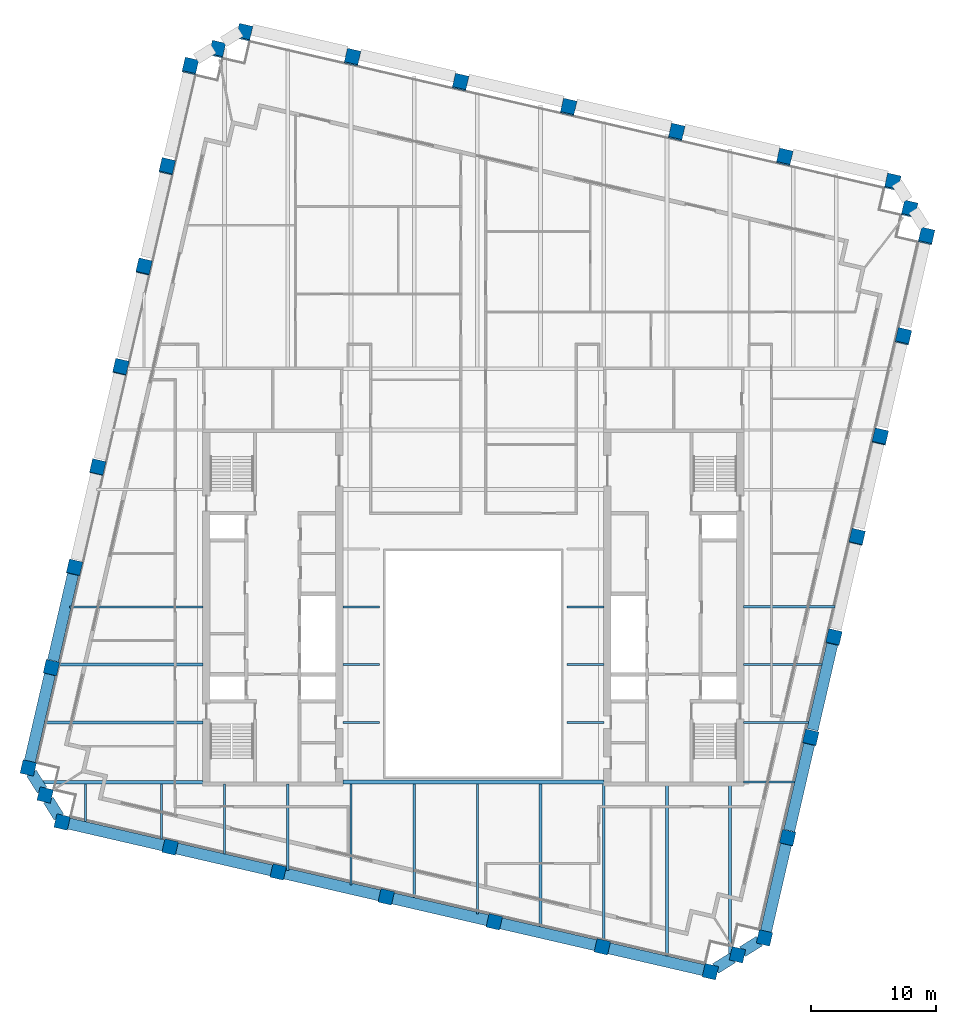
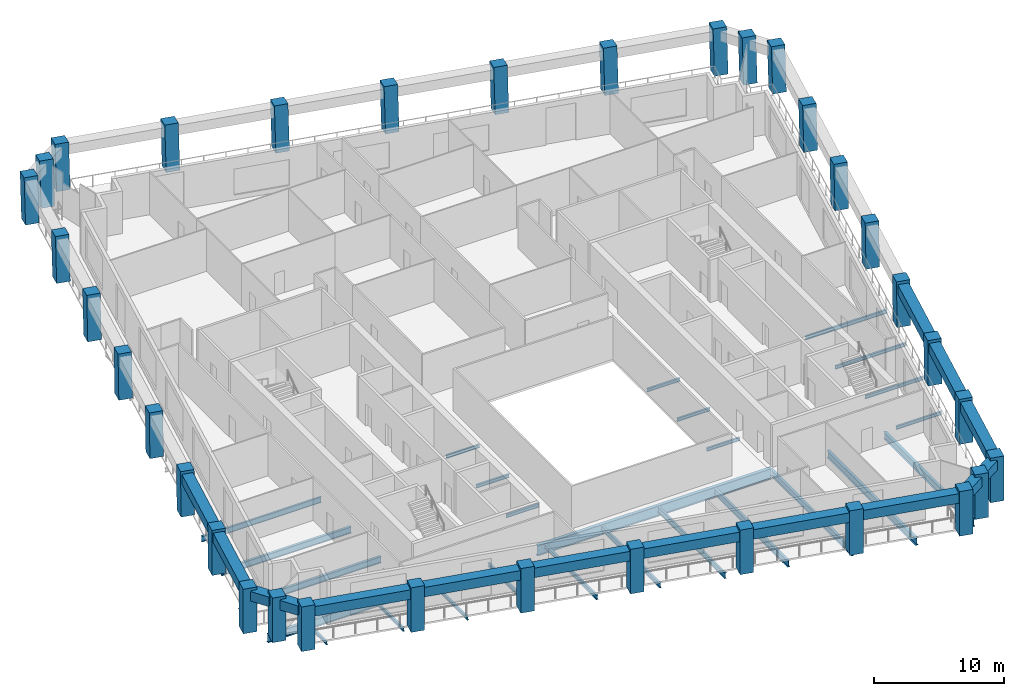
# One storey, part 1 of 10: 41 beams, 34 columns.
"""IFC4 building model written with IfcOpenShell, lengths in metres."""

from ifc_helpers import new_model, si_unit, direction, frame, origin, origin_2d, place, context, subcontext, project, spatial, rectangle, i_section, extrude, material, material_profile, profile_set, type_object, element, save


model = new_model("IFC4")

# Units and contexts
model_context = context("Model", 3, precision=1e-05, world=origin(), true_north=direction((0.0, 1.0)))
body_context = subcontext(model_context, "Body", "Model", "MODEL_VIEW")
ifc_project = project(units=[si_unit("LENGTHUNIT", "METRE"), si_unit("AREAUNIT", "SQUARE_METRE"), si_unit("VOLUMEUNIT", "CUBIC_METRE"), si_unit("PLANEANGLEUNIT", "RADIAN"), si_unit("MASSUNIT", "GRAM", prefix="KILO")], contexts=[model_context])

# Site, building, storey
site_placement = place(None, origin())
site = spatial("IfcSite", under=ifc_project, at=site_placement, CompositionType="ELEMENT")
building_placement = place(site_placement, origin())
building = spatial("IfcBuilding", under=site, at=building_placement, Name="Ogive Exchange Tower", CompositionType="ELEMENT")
storey_placement = place(building_placement, frame((0.0, 0.0, 268.199951171875)))
storey = spatial("IfcBuildingStorey", under=building, at=storey_placement, Name="L58", CompositionType="ELEMENT", Elevation=268.199951171875)

# Columns
ifc_material_1 = material(Name="Precast concrete C70/85 (limestone faced)", Category="masonry")
ifc_material_profile_1 = material_profile(ifc_material_1, rectangle(XDim=1.10009765625, YDim=1.10009765625, at=origin_2d()), Name="1100 x 1100")
ifc_profile_set_1 = profile_set([ifc_material_profile_1], Name="Precast concrete C70/85 (limestone faced)")
column_type = type_object("IfcColumnType", Name="Precast exoskeleton leg 1100 x 1100 C70/85", PredefinedType="COLUMN", material=ifc_profile_set_1)
for number, where, z_axis, x_axis, name in (
    (1, (-32.820556640625, -5.635498046875, 0.0), (0.0, 0.0, 1.0), (0.974370064785, -0.224951054344, 0.0), "Exoskeleton leg 1"),
    (2, (-24.197265625, -7.62646484375, 0.0), (0.0, 0.0, 1.0), (0.974370064785, -0.224951054344, 0.0), "Exoskeleton leg 2"),
    (3, (-15.57421875, -9.6171875, 0.0), (0.0, 0.0, 1.0), (0.974370064785, -0.224951054344, 0.0), "Exoskeleton leg 3"),
    (4, (-6.950927734375, -11.60791015625, 0.0), (0.0, 0.0, 1.0), (0.974370064785, -0.224951054344, 0.0), "Exoskeleton leg 4"),
    (5, (1.672119140625, -13.598876953125, 0.0), (0.0, 0.0, 1.0), (0.974370064785, -0.224951054344, 0.0), "Exoskeleton leg 5"),
    (6, (10.29541015625, -15.589599609375, 0.0), (0.0, 0.0, 1.0), (0.974370064785, -0.224951054344, 0.0), "Exoskeleton leg 6"),
    (7, (18.91845703125, -17.58056640625, 0.0), (0.0, 0.0, 1.0), (0.974370064785, -0.224951054344, 0.0), "Exoskeleton leg 7"),
    (8, (23.236083984375, -14.882568359375, 0.0), (0.0, 0.0, 1.0), (0.974370064785, -0.224951054344, 0.0), "Exoskeleton leg 8"),
):
    element("IfcColumn", number, at=place(storey_placement, frame(where, z_axis=z_axis, x_axis=x_axis)), inside=storey, type_object=column_type, Name=name, PredefinedType="COLUMN", context=body_context, shape_type="SweptSolid", body=[
        extrude(rectangle(XDim=1.10009765625, YDim=1.10009765625, at=origin_2d()), origin(), (0.0, 0.0, 1.0), 4.199951171875),
    ])
column_1_placement = place(storey_placement, frame((25.081787109375, -6.8876953125, 0.0), z_axis=(0.002906224189, 0.012671137464, 0.999915494498), x_axis=(-0.974691740237, 0.22355315143, 0.0)))
element("IfcColumn", 9, at=column_1_placement, inside=storey, type_object=column_type, Name="Exoskeleton leg 9", PredefinedType="COLUMN", context=body_context, shape_type="SweptSolid", body=[
    extrude(rectangle(XDim=1.10009765625, YDim=1.10009765625, at=origin_2d()), origin(), (0.0, 0.0, 1.0), 4.2001953125),
])
column_2_placement = place(storey_placement, frame((26.927490234375, 1.107177734375, 0.0), z_axis=(0.005869091843, 0.025277771797, 0.999663237302), x_axis=(-0.974088391429, 0.226167649504, 0.0)))
element("IfcColumn", 10, at=column_2_placement, inside=storey, type_object=column_type, Name="Exoskeleton leg 10", PredefinedType="COLUMN", context=body_context, shape_type="SweptSolid", body=[
    extrude(rectangle(XDim=1.10009765625, YDim=1.10009765625, at=origin_2d()), origin(), (0.0, 0.0, 1.0), 4.201416015625),
])
column_3_placement = place(storey_placement, frame((28.7734375, 9.10205078125, 0.0), z_axis=(0.008770865357, 0.037987721479, 0.999239713451), x_axis=(-0.97436607968, 0.224968315033, 0.0)))
element("IfcColumn", 11, at=column_3_placement, inside=storey, type_object=column_type, Name="Exoskeleton leg 11", PredefinedType="COLUMN", context=body_context, shape_type="SweptSolid", body=[
    extrude(rectangle(XDim=1.10009765625, YDim=1.10009765625, at=origin_2d()), origin(), (0.0, 0.0, 1.0), 4.203125),
])
column_4_placement = place(storey_placement, frame((30.619140625, 17.096923828125, 0.0), z_axis=(0.011668267153, 0.050562490995, 0.998652735462), x_axis=(-0.974391195695, 0.224859506699, 0.0)))
element("IfcColumn", 12, at=column_4_placement, inside=storey, type_object=column_type, Name="Exoskeleton leg 12", PredefinedType="COLUMN", context=body_context, shape_type="SweptSolid", body=[
    extrude(rectangle(XDim=1.10009765625, YDim=1.10009765625, at=origin_2d()), origin(), (0.0, 0.0, 1.0), 4.20556640625),
])
column_5_placement = place(storey_placement, frame((32.46484375, 25.091796875, 0.0), z_axis=(0.014617783326, 0.063169706518, 0.99789574034), x_axis=(-0.974255315496, 0.225447511024, 0.0)))
element("IfcColumn", 13, at=column_5_placement, inside=storey, type_object=column_type, Name="Exoskeleton leg 13", PredefinedType="COLUMN", context=body_context, shape_type="SweptSolid", body=[
    extrude(rectangle(XDim=1.10009765625, YDim=1.10009765625, at=origin_2d()), origin(), (0.0, 0.0, 1.0), 4.208740234375),
])
column_6_placement = place(storey_placement, frame((34.310791015625, 33.0869140625, 0.0), z_axis=(0.017444089556, 0.075687644385, 0.996978978829), x_axis=(-0.974454034257, 0.224587032398, 0.0)))
element("IfcColumn", 14, at=column_6_placement, inside=storey, type_object=column_type, Name="Exoskeleton leg 14", PredefinedType="COLUMN", context=body_context, shape_type="SweptSolid", body=[
    extrude(rectangle(XDim=1.10009765625, YDim=1.10009765625, at=origin_2d()), origin(), (0.0, 0.0, 1.0), 4.212646484375),
])
for number, where, z_axis, x_axis, name in (
    (15, (36.156494140625, 41.081787109375, 0.0), (0.020377597275, 0.088167842757, 0.995897175934), (-0.97431566651, 0.225186549318, 0.0), "Exoskeleton leg 15"),
    (16, (33.45849609375, 45.3994140625, 0.0), (0.020377597275, 0.088167842757, 0.995897175934), (-0.97431566651, 0.225186549318, 0.0), "Exoskeleton leg 16"),
    (17, (24.83544921875, 47.39013671875, 0.0), (0.020377493232, 0.0882252832, 0.995892091129), (-0.97434807649, 0.225046274885, 0.0), "Exoskeleton leg 17"),
    (18, (16.212158203125, 49.380859375, 0.0), (0.020377493232, 0.0882252832, 0.995892091129), (-0.97434807649, 0.225046274885, 0.0), "Exoskeleton leg 18"),
    (19, (7.589111328125, 51.37158203125, 0.0), (0.020319626563, 0.088225387128, 0.995893264282), (-0.974488096918, 0.224439187676, 0.0), "Exoskeleton leg 19"),
    (20, (-1.0341796875, 53.362548828125, 0.0), (0.020377493232, 0.0882252832, 0.995892091129), (-0.97434807649, 0.225046274885, 0.0), "Exoskeleton leg 20"),
    (21, (-9.6572265625, 55.353271484375, 0.0), (0.020377493232, 0.0882252832, 0.995892091129), (-0.97434807649, 0.225046274885, 0.0), "Exoskeleton leg 21"),
    (22, (-18.280517578125, 57.34423828125, 0.0), (0.020377493232, 0.0882252832, 0.995892091129), (-0.97434807649, 0.225046274885, 0.0), "Exoskeleton leg 22"),
    (23, (-22.59814453125, 54.646240234375, 0.0), (0.020377493232, 0.0882252832, 0.995892091129), (-0.97434807649, 0.225046274885, 0.0), "Exoskeleton leg 23"),
):
    element("IfcColumn", number, at=place(storey_placement, frame(where, z_axis=z_axis, x_axis=x_axis)), inside=storey, type_object=column_type, Name=name, PredefinedType="COLUMN", context=body_context, shape_type="SweptSolid", body=[
        extrude(rectangle(XDim=1.10009765625, YDim=1.10009765625, at=origin_2d()), origin(), (0.0, 0.0, 1.0), 4.21728515625),
    ])
column_7_placement = place(storey_placement, frame((-24.44384765625, 46.6513671875, 0.0), z_axis=(0.017502025619, 0.075687567741, 0.996977969259), x_axis=(-0.974290512438, 0.225295355862, 0.0)))
element("IfcColumn", 24, at=column_7_placement, inside=storey, type_object=column_type, Name="Exoskeleton leg 24", PredefinedType="COLUMN", context=body_context, shape_type="SweptSolid", body=[
    extrude(rectangle(XDim=1.10009765625, YDim=1.10009765625, at=origin_2d()), origin(), (0.0, 0.0, 1.0), 4.212646484375),
])
column_8_placement = place(storey_placement, frame((-26.28955078125, 38.656494140625, 0.0), z_axis=(0.014559841898, 0.063111984005, 0.997900239743), x_axis=(-0.97440628778, 0.224794097641, 0.0)))
element("IfcColumn", 25, at=column_8_placement, inside=storey, type_object=column_type, Name="Exoskeleton leg 25", PredefinedType="COLUMN", context=body_context, shape_type="SweptSolid", body=[
    extrude(rectangle(XDim=1.10009765625, YDim=1.10009765625, at=origin_2d()), origin(), (0.0, 0.0, 1.0), 4.208740234375),
])
column_9_placement = place(storey_placement, frame((-28.135498046875, 30.66162109375, 0.0), z_axis=(0.01172634467, 0.050504553776, 0.998654986914), x_axis=(-0.974088391429, 0.226167649504, 0.0)))
element("IfcColumn", 26, at=column_9_placement, inside=storey, type_object=column_type, Name="Exoskeleton leg 26", PredefinedType="COLUMN", context=body_context, shape_type="SweptSolid", body=[
    extrude(rectangle(XDim=1.10009765625, YDim=1.10009765625, at=origin_2d()), origin(), (0.0, 0.0, 1.0), 4.20556640625),
])
column_10_placement = place(storey_placement, frame((-29.981201171875, 22.666748046875, 0.0), z_axis=(0.008770884695, 0.037929719907, 0.99924191662), x_axis=(-0.974290512438, 0.225295355862, 0.0)))
element("IfcColumn", 27, at=column_10_placement, inside=storey, type_object=column_type, Name="Exoskeleton leg 27", PredefinedType="COLUMN", context=body_context, shape_type="SweptSolid", body=[
    extrude(rectangle(XDim=1.10009765625, YDim=1.10009765625, at=origin_2d()), origin(), (0.0, 0.0, 1.0), 4.203125),
])
column_11_placement = place(storey_placement, frame((-31.826904296875, 14.671875, 0.0), z_axis=(0.005869091843, 0.025277771797, 0.999663237302), x_axis=(-0.974088391429, 0.226167649504, 0.0)))
element("IfcColumn", 28, at=column_11_placement, inside=storey, type_object=column_type, Name="Exoskeleton leg 28", PredefinedType="COLUMN", context=body_context, shape_type="SweptSolid", body=[
    extrude(rectangle(XDim=1.10009765625, YDim=1.10009765625, at=origin_2d()), origin(), (0.0, 0.0, 1.0), 4.201416015625),
])
column_12_placement = place(storey_placement, frame((-33.672607421875, 6.677001953125, 0.0), z_axis=(0.002906226325, 0.012613022249, 0.99991622925), x_axis=(-0.974466825284, 0.224531526563, 0.0)))
element("IfcColumn", 29, at=column_12_placement, inside=storey, type_object=column_type, Name="Exoskeleton leg 29", PredefinedType="COLUMN", context=body_context, shape_type="SweptSolid", body=[
    extrude(rectangle(XDim=1.10009765625, YDim=1.10009765625, at=origin_2d()), origin(), (0.0, 0.0, 1.0), 4.2001953125),
])
for number, where, z_axis, x_axis, name in (
    (30, (-35.518310546875, -1.318115234375, 0.0), (0.0, 0.0, 1.0), (0.974370064785, -0.224951054344, 0.0), "Exoskeleton leg 30"),
    (31, (21.077392578125, -16.2314453125, 0.0), (0.0, 0.0, 1.0), (0.974370064785, -0.224951054344, 0.0), "Exoskeleton leg 31"),
):
    element("IfcColumn", number, at=place(storey_placement, frame(where, z_axis=z_axis, x_axis=x_axis)), inside=storey, type_object=column_type, Name=name, PredefinedType="COLUMN", context=body_context, shape_type="SweptSolid", body=[
        extrude(rectangle(XDim=1.10009765625, YDim=1.10009765625, at=origin_2d()), origin(), (0.0, 0.0, 1.0), 4.199951171875),
    ])
for number, where, z_axis, x_axis, name in (
    (32, (34.8076171875, 43.240478515625, 0.0), (0.020319626563, 0.088225387128, 0.995893264282), (-0.974488096918, 0.224439187676, 0.0), "Exoskeleton leg 32"),
    (33, (-20.439208984375, 55.9951171875, 0.0), (0.020319626563, 0.088225387128, 0.995893264282), (-0.974488096918, 0.224439187676, 0.0), "Exoskeleton leg 33"),
):
    element("IfcColumn", number, at=place(storey_placement, frame(where, z_axis=z_axis, x_axis=x_axis)), inside=storey, type_object=column_type, Name=name, PredefinedType="COLUMN", context=body_context, shape_type="SweptSolid", body=[
        extrude(rectangle(XDim=1.10009765625, YDim=1.10009765625, at=origin_2d()), origin(), (0.0, 0.0, 1.0), 4.21728515625),
    ])
column_13_placement = place(storey_placement, frame((-34.16943359375, -3.476806640625, 0.0), z_axis=(0.0, 0.0, 1.0), x_axis=(0.974370064785, -0.224951054344, 0.0)))
element("IfcColumn", 34, at=column_13_placement, inside=storey, type_object=column_type, Name="Exoskeleton leg 34", PredefinedType="COLUMN", context=body_context, shape_type="SweptSolid", body=[
    extrude(rectangle(XDim=1.10009765625, YDim=1.10009765625, at=origin_2d()), origin(), (0.0, 0.0, 1.0), 4.199951171875),
])

# Beams
ifc_material_2 = material(Name="Steel ASTM A992 Gr50", Category="steel")
ifc_material_profile_2 = material_profile(ifc_material_2, i_section(OverallWidth=0.1650390625, OverallDepth=0.31005859375, WebThickness=0.005859375, FlangeThickness=0.009765625, at=origin_2d()), Name="W310x38.7")
ifc_profile_set_2 = profile_set([ifc_material_profile_2], Name="Steel ASTM A992 Gr50")
beam_type_1 = type_object("IfcBeamType", Name="Floor beam W310x38.7", PredefinedType="JOIST", material=ifc_profile_set_2)
for number, where, z_axis, x_axis, name in (
    (35, (-10.419921875, 2.3212890625, -0.35498046875), (1.0, 0.0, 0.0), (0.0, 1.0, 0.0), "Floor beam"),
    (36, (7.469970703125, 2.3212890625, -0.35498046875), (1.0, 0.0, 0.0), (0.0, 1.0, 0.0), "Floor beam"),
):
    element("IfcBeam", number, at=place(storey_placement, frame(where, z_axis=z_axis, x_axis=x_axis)), inside=storey, type_object=beam_type_1, Name=name, PredefinedType="JOIST", context=body_context, shape_type="SweptSolid", body=[
        extrude(i_section(OverallWidth=0.1650390625, OverallDepth=0.31005859375, WebThickness=0.005859375, FlangeThickness=0.009765625, at=origin_2d()), origin(), (0.0, 0.0, 1.0), 2.949951171875),
    ])
beam_1_placement = place(storey_placement, frame((21.580078125, 2.3212890625, -0.35498046875), z_axis=(1.0, 0.0, 0.0), x_axis=(0.0, 1.0, 0.0)))
element("IfcBeam", 37, at=beam_1_placement, inside=storey, type_object=beam_type_1, Name="Floor beam", PredefinedType="JOIST", context=body_context, shape_type="SweptSolid", body=[
    extrude(i_section(OverallWidth=0.1650390625, OverallDepth=0.31005859375, WebThickness=0.005859375, FlangeThickness=0.009765625, at=origin_2d()), origin(), (0.0, 0.0, 1.0), 5.166015625),
])
for number, where, z_axis, x_axis, name in (
    (38, (-10.419921875, 6.9326171875, -0.35498046875), (1.0, 0.0, 0.0), (0.0, 1.0, 0.0), "Floor beam"),
    (39, (7.469970703125, 6.9326171875, -0.35498046875), (1.0, 0.0, 0.0), (0.0, 1.0, 0.0), "Floor beam"),
):
    element("IfcBeam", number, at=place(storey_placement, frame(where, z_axis=z_axis, x_axis=x_axis)), inside=storey, type_object=beam_type_1, Name=name, PredefinedType="JOIST", context=body_context, shape_type="SweptSolid", body=[
        extrude(i_section(OverallWidth=0.1650390625, OverallDepth=0.31005859375, WebThickness=0.005859375, FlangeThickness=0.009765625, at=origin_2d()), origin(), (0.0, 0.0, 1.0), 2.949951171875),
    ])
beam_2_placement = place(storey_placement, frame((21.580078125, 6.9326171875, -0.35498046875), z_axis=(1.0, 0.0, 0.0), x_axis=(0.0, 1.0, 0.0)))
element("IfcBeam", 40, at=beam_2_placement, inside=storey, type_object=beam_type_1, Name="Floor beam", PredefinedType="JOIST", context=body_context, shape_type="SweptSolid", body=[
    extrude(i_section(OverallWidth=0.1650390625, OverallDepth=0.31005859375, WebThickness=0.005859375, FlangeThickness=0.009765625, at=origin_2d()), origin(), (0.0, 0.0, 1.0), 6.230712890625),
])
for number, where, z_axis, x_axis, name in (
    (41, (-10.419921875, 11.543701171875, -0.35498046875), (1.0, 0.0, 0.0), (0.0, 1.0, 0.0), "Floor beam"),
    (42, (7.469970703125, 11.543701171875, -0.35498046875), (1.0, 0.0, 0.0), (0.0, 1.0, 0.0), "Floor beam"),
):
    element("IfcBeam", number, at=place(storey_placement, frame(where, z_axis=z_axis, x_axis=x_axis)), inside=storey, type_object=beam_type_1, Name=name, PredefinedType="JOIST", context=body_context, shape_type="SweptSolid", body=[
        extrude(i_section(OverallWidth=0.1650390625, OverallDepth=0.31005859375, WebThickness=0.005859375, FlangeThickness=0.009765625, at=origin_2d()), origin(), (0.0, 0.0, 1.0), 2.949951171875),
    ])
beam_3_placement = place(storey_placement, frame((-30.936279296875, -5.60888671875, -0.35498046875), z_axis=(0.0, 1.0, 0.0), x_axis=(-1.0, 0.0, 0.0)))
element("IfcBeam", 43, at=beam_3_placement, inside=storey, type_object=beam_type_1, Name="Floor beam", PredefinedType="JOIST", context=body_context, shape_type="SweptSolid", body=[
    extrude(i_section(OverallWidth=0.1650390625, OverallDepth=0.31005859375, WebThickness=0.005859375, FlangeThickness=0.009765625, at=origin_2d()), origin(), (0.0, 0.0, 1.0), 3.0302734375),
])
beam_4_placement = place(storey_placement, frame((-24.893798828125, -7.00390625, -0.35498046875), z_axis=(0.0, 1.0, 0.0), x_axis=(-1.0, 0.0, 0.0)))
element("IfcBeam", 44, at=beam_4_placement, inside=storey, type_object=beam_type_1, Name="Floor beam", PredefinedType="JOIST", context=body_context, shape_type="SweptSolid", body=[
    extrude(i_section(OverallWidth=0.1650390625, OverallDepth=0.31005859375, WebThickness=0.005859375, FlangeThickness=0.009765625, at=origin_2d()), origin(), (0.0, 0.0, 1.0), 4.42529296875),
])
beam_5_placement = place(storey_placement, frame((-19.85107421875, -8.16796875, -0.35498046875), z_axis=(0.0, 1.0, 0.0), x_axis=(-1.0, 0.0, 0.0)))
element("IfcBeam", 45, at=beam_5_placement, inside=storey, type_object=beam_type_1, Name="Floor beam", PredefinedType="JOIST", context=body_context, shape_type="SweptSolid", body=[
    extrude(i_section(OverallWidth=0.1650390625, OverallDepth=0.31005859375, WebThickness=0.005859375, FlangeThickness=0.009765625, at=origin_2d()), origin(), (0.0, 0.0, 1.0), 5.56787109375),
])
ifc_material_profile_3 = material_profile(ifc_material_2, i_section(OverallWidth=0.1708984375, OverallDepth=0.35595703125, WebThickness=0.00732421875, FlangeThickness=0.01171875, at=origin_2d()), Name="W360x51")
ifc_profile_set_3 = profile_set([ifc_material_profile_3], Name="Steel ASTM A992 Gr50")
beam_type_2 = type_object("IfcBeamType", Name="Floor beam W360x51", PredefinedType="JOIST", material=ifc_profile_set_3)
beam_6_placement = place(storey_placement, frame((21.580078125, 11.543701171875, -0.3779296875), z_axis=(1.0, 0.0, 0.0), x_axis=(0.0, 1.0, 0.0)))
element("IfcBeam", 46, at=beam_6_placement, inside=storey, type_object=beam_type_2, Name="Floor beam", PredefinedType="JOIST", context=body_context, shape_type="SweptSolid", body=[
    extrude(i_section(OverallWidth=0.1708984375, OverallDepth=0.35595703125, WebThickness=0.00732421875, FlangeThickness=0.01171875, at=origin_2d()), origin(), (0.0, 0.0, 1.0), 7.295166015625),
])
beam_7_placement = place(storey_placement, frame((-14.80859375, -9.482177734375, -0.3779296875), z_axis=(0.0, 1.0, 0.0), x_axis=(-1.0, 0.0, 0.0)))
element("IfcBeam", 47, at=beam_7_placement, inside=storey, type_object=beam_type_2, Name="Floor beam", PredefinedType="JOIST", context=body_context, shape_type="SweptSolid", body=[
    extrude(i_section(OverallWidth=0.1708984375, OverallDepth=0.35595703125, WebThickness=0.00732421875, FlangeThickness=0.01171875, at=origin_2d()), origin(), (0.0, 0.0, 1.0), 6.882080078125),
])
ifc_material_profile_4 = material_profile(ifc_material_2, i_section(OverallWidth=0.177978515625, OverallDepth=0.406005859375, WebThickness=0.0078125, FlangeThickness=0.0126953125, at=origin_2d()), Name="W410x60")
ifc_profile_set_4 = profile_set([ifc_material_profile_4], Name="Steel ASTM A992 Gr50")
beam_type_3 = type_object("IfcBeamType", Name="Floor beam W410x60", PredefinedType="JOIST", material=ifc_profile_set_4)
beam_8_placement = place(storey_placement, frame((-9.76611328125, -10.646240234375, -0.40283203125), z_axis=(0.0, 1.0, 0.0), x_axis=(-1.0, 0.0, 0.0)))
element("IfcBeam", 48, at=beam_8_placement, inside=storey, type_object=beam_type_3, Name="Floor beam", PredefinedType="JOIST", context=body_context, shape_type="SweptSolid", body=[
    extrude(i_section(OverallWidth=0.177978515625, OverallDepth=0.406005859375, WebThickness=0.0078125, FlangeThickness=0.0126953125, at=origin_2d()), origin(), (0.0, 0.0, 1.0), 8.05126953125),
])
ifc_material_profile_5 = material_profile(ifc_material_2, i_section(OverallWidth=0.19091796875, OverallDepth=0.45703125, WebThickness=0.009033203125, FlangeThickness=0.014404296875, at=origin_2d()), Name="W460x74")
ifc_profile_set_5 = profile_set([ifc_material_profile_5], Name="Steel ASTM A992 Gr50")
beam_type_4 = type_object("IfcBeamType", Name="Floor beam W460x74", PredefinedType="JOIST", material=ifc_profile_set_5)
beam_9_placement = place(storey_placement, frame((-4.723388671875, -11.660400390625, -0.428466796875), z_axis=(0.0, 1.0, 0.0), x_axis=(-1.0, 0.0, 0.0)))
element("IfcBeam", 49, at=beam_9_placement, inside=storey, type_object=beam_type_4, Name="Floor beam", PredefinedType="JOIST", context=body_context, shape_type="SweptSolid", body=[
    extrude(i_section(OverallWidth=0.19091796875, OverallDepth=0.45703125, WebThickness=0.009033203125, FlangeThickness=0.014404296875, at=origin_2d()), origin(), (0.0, 0.0, 1.0), 9.0654296875),
])
ifc_material_profile_6 = material_profile(ifc_material_2, i_section(OverallWidth=0.1669921875, OverallDepth=0.535888671875, WebThickness=0.01025390625, FlangeThickness=0.0166015625, at=origin_2d()), Name="W530x85")
ifc_profile_set_6 = profile_set([ifc_material_profile_6], Name="Steel ASTM A992 Gr50")
beam_type_5 = type_object("IfcBeamType", Name="Floor beam W530x85", PredefinedType="JOIST", material=ifc_profile_set_6)
beam_10_placement = place(storey_placement, frame((-32.2373046875, 11.543701171875, -0.468017578125), z_axis=(1.0, 0.0, 0.0), x_axis=(0.0, 1.0, 0.0)))
element("IfcBeam", 50, at=beam_10_placement, inside=storey, type_object=beam_type_5, Name="Floor beam", PredefinedType="JOIST", context=body_context, shape_type="SweptSolid", body=[
    extrude(i_section(OverallWidth=0.1669921875, OverallDepth=0.535888671875, WebThickness=0.01025390625, FlangeThickness=0.0166015625, at=origin_2d()), origin(), (0.0, 0.0, 1.0), 10.6572265625),
])
beam_11_placement = place(storey_placement, frame((0.319091796875, -12.974609375, -0.468017578125), z_axis=(0.0, 1.0, 0.0), x_axis=(-1.0, 0.0, 0.0)))
element("IfcBeam", 51, at=beam_11_placement, inside=storey, type_object=beam_type_5, Name="Floor beam", PredefinedType="JOIST", context=body_context, shape_type="SweptSolid", body=[
    extrude(i_section(OverallWidth=0.1669921875, OverallDepth=0.535888671875, WebThickness=0.01025390625, FlangeThickness=0.0166015625, at=origin_2d()), origin(), (0.0, 0.0, 1.0), 10.379638671875),
])
ifc_material_profile_7 = material_profile(ifc_material_2, i_section(OverallWidth=0.22802734375, OverallDepth=0.60205078125, WebThickness=0.010498046875, FlangeThickness=0.014892578125, at=origin_2d()), Name="W610x101")
ifc_profile_set_7 = profile_set([ifc_material_profile_7], Name="Steel ASTM A992 Gr50")
beam_type_6 = type_object("IfcBeamType", Name="Floor beam W610x101", PredefinedType="JOIST", material=ifc_profile_set_7)
beam_12_placement = place(storey_placement, frame((-34.21630859375, 2.3212890625, -0.5009765625), z_axis=(1.0, 0.0, 0.0), x_axis=(0.0, 1.0, 0.0)))
element("IfcBeam", 52, at=beam_12_placement, inside=storey, type_object=beam_type_6, Name="Floor beam", PredefinedType="JOIST", context=body_context, shape_type="SweptSolid", body=[
    extrude(i_section(OverallWidth=0.22802734375, OverallDepth=0.60205078125, WebThickness=0.010498046875, FlangeThickness=0.014892578125, at=origin_2d()), origin(), (0.0, 0.0, 1.0), 12.63623046875),
])
beam_13_placement = place(storey_placement, frame((-33.15185546875, 6.9326171875, -0.5009765625), z_axis=(1.0, 0.0, 0.0), x_axis=(0.0, 1.0, 0.0)))
element("IfcBeam", 53, at=beam_13_placement, inside=storey, type_object=beam_type_6, Name="Floor beam", PredefinedType="JOIST", context=body_context, shape_type="SweptSolid", body=[
    extrude(i_section(OverallWidth=0.22802734375, OverallDepth=0.60205078125, WebThickness=0.010498046875, FlangeThickness=0.014892578125, at=origin_2d()), origin(), (0.0, 0.0, 1.0), 11.57177734375),
])
beam_14_placement = place(storey_placement, frame((5.361572265625, -13.98876953125, -0.5009765625), z_axis=(0.0, 1.0, 0.0), x_axis=(-1.0, 0.0, 0.0)))
element("IfcBeam", 54, at=beam_14_placement, inside=storey, type_object=beam_type_6, Name="Floor beam", PredefinedType="JOIST", context=body_context, shape_type="SweptSolid", body=[
    extrude(i_section(OverallWidth=0.22802734375, OverallDepth=0.60205078125, WebThickness=0.010498046875, FlangeThickness=0.014892578125, at=origin_2d()), origin(), (0.0, 0.0, 1.0), 11.393798828125),
])
beam_15_placement = place(storey_placement, frame((10.404052734375, -15.15283203125, -0.5009765625), z_axis=(0.0, 1.0, 0.0), x_axis=(-1.0, 0.0, 0.0)))
element("IfcBeam", 55, at=beam_15_placement, inside=storey, type_object=beam_type_6, Name="Floor beam", PredefinedType="JOIST", context=body_context, shape_type="SweptSolid", body=[
    extrude(i_section(OverallWidth=0.22802734375, OverallDepth=0.60205078125, WebThickness=0.010498046875, FlangeThickness=0.014892578125, at=origin_2d()), origin(), (0.0, 0.0, 1.0), 12.557861328125),
])
ifc_material_profile_8 = material_profile(ifc_material_2, i_section(OverallWidth=0.25390625, OverallDepth=0.677978515625, WebThickness=0.01171875, FlangeThickness=0.016357421875, at=origin_2d()), Name="W690x125")
ifc_profile_set_8 = profile_set([ifc_material_profile_8], Name="Steel ASTM A992 Gr50")
beam_type_7 = type_object("IfcBeamType", Name="Floor beam W690x125", PredefinedType="JOIST", material=ifc_profile_set_8)
beam_16_placement = place(storey_placement, frame((15.446533203125, -16.317138671875, -0.5390625), z_axis=(0.0, 1.0, 0.0), x_axis=(-1.0, 0.0, 0.0)))
element("IfcBeam", 56, at=beam_16_placement, inside=storey, type_object=beam_type_7, Name="Floor beam", PredefinedType="JOIST", context=body_context, shape_type="SweptSolid", body=[
    extrude(i_section(OverallWidth=0.25390625, OverallDepth=0.677978515625, WebThickness=0.01171875, FlangeThickness=0.016357421875, at=origin_2d()), origin(), (0.0, 0.0, 1.0), 13.717041015625),
])
beam_17_placement = place(storey_placement, frame((20.4892578125, -16.342041015625, -0.5390625), z_axis=(0.0, 1.0, 0.0), x_axis=(-1.0, 0.0, 0.0)))
element("IfcBeam", 57, at=beam_17_placement, inside=storey, type_object=beam_type_7, Name="Floor beam", PredefinedType="JOIST", context=body_context, shape_type="SweptSolid", body=[
    extrude(i_section(OverallWidth=0.25390625, OverallDepth=0.677978515625, WebThickness=0.01171875, FlangeThickness=0.016357421875, at=origin_2d()), origin(), (0.0, 0.0, 1.0), 13.741943359375),
])
ifc_material_profile_9 = material_profile(ifc_material_2, i_section(OverallWidth=0.300048828125, OverallDepth=0.97998046875, WebThickness=0.0166015625, FlangeThickness=0.026123046875, at=origin_2d()), Name="W1000x249")
ifc_profile_set_9 = profile_set([ifc_material_profile_9], Name="Steel ASTM A992 Gr50")
beam_type_8 = type_object("IfcBeamType", Name="Girder W1000x249", PredefinedType="BEAM", material=ifc_profile_set_9)
beam_18_placement = place(storey_placement, frame((-10.419921875, -2.445068359375, -0.68994140625), z_axis=(1.0, 0.0, 0.0), x_axis=(0.0, 1.0, 0.0)))
element("IfcBeam", 58, at=beam_18_placement, inside=storey, type_object=beam_type_8, Name="Header girder", PredefinedType="BEAM", context=body_context, shape_type="SweptSolid", body=[
    extrude(i_section(OverallWidth=0.300048828125, OverallDepth=0.97998046875, WebThickness=0.0166015625, FlangeThickness=0.026123046875, at=origin_2d()), origin(), (0.0, 0.0, 1.0), 20.83984375),
])
ifc_material_profile_10 = material_profile(ifc_material_2, i_section(OverallWidth=0.1650390625, OverallDepth=0.31005859375, WebThickness=0.005859375, FlangeThickness=0.009765625, at=origin_2d()), Name="W310x38.7")
ifc_profile_set_10 = profile_set([ifc_material_profile_10], Name="Steel ASTM A992 Gr50")
beam_type_9 = type_object("IfcBeamType", Name="Girder W310x38.7", PredefinedType="BEAM", material=ifc_profile_set_10)
beam_19_placement = place(storey_placement, frame((21.580078125, -2.445068359375, -0.35498046875), z_axis=(1.0, 0.0, 0.0), x_axis=(0.0, 1.0, 0.0)))
element("IfcBeam", 59, at=beam_19_placement, inside=storey, type_object=beam_type_9, Name="Header girder", PredefinedType="BEAM", context=body_context, shape_type="SweptSolid", body=[
    extrude(i_section(OverallWidth=0.1650390625, OverallDepth=0.31005859375, WebThickness=0.005859375, FlangeThickness=0.009765625, at=origin_2d()), origin(), (0.0, 0.0, 1.0), 4.065673828125),
])
ifc_material_profile_11 = material_profile(ifc_material_2, i_section(OverallWidth=0.26708984375, OverallDepth=0.75390625, WebThickness=0.01318359375, FlangeThickness=0.01708984375, at=origin_2d()), Name="W760x147")
ifc_profile_set_11 = profile_set([ifc_material_profile_11], Name="Steel ASTM A992 Gr50")
beam_type_10 = type_object("IfcBeamType", Name="Girder W760x147", PredefinedType="BEAM", material=ifc_profile_set_11)
beam_20_placement = place(storey_placement, frame((-34.43359375, -2.445068359375, -0.576904296875), z_axis=(1.0, 0.0, 0.0), x_axis=(0.0, 1.0, 0.0)))
element("IfcBeam", 60, at=beam_20_placement, inside=storey, type_object=beam_type_10, Name="Header girder", PredefinedType="BEAM", context=body_context, shape_type="SweptSolid", body=[
    extrude(i_section(OverallWidth=0.26708984375, OverallDepth=0.75390625, WebThickness=0.01318359375, FlangeThickness=0.01708984375, at=origin_2d()), origin(), (0.0, 0.0, 1.0), 12.853515625),
])
ifc_material_profile_12 = material_profile(ifc_material_1, rectangle(XDim=0.89990234375, YDim=0.89990234375, at=origin_2d()), Name="900 x 900")
ifc_profile_set_12 = profile_set([ifc_material_profile_12], Name="Precast concrete C70/85 (limestone faced)")
beam_type_11 = type_object("IfcBeamType", Name="Precast spandrel 900 x 900 C70/85", PredefinedType="SPANDREL", material=ifc_profile_set_12)
for number, where, z_axis, x_axis, name in (
    (61, (-32.30419921875, -5.7548828125, 3.5), (0.974374818602, -0.224930462307, 0.0), (0.224930462307, 0.974374818602, 0.0), "Spandrel 1"),
    (62, (-23.680908203125, -7.74560546875, 3.5), (0.974367949416, -0.224960216819, 0.0), (0.224960216819, 0.974367949416, 0.0), "Spandrel 2"),
    (63, (-15.0576171875, -9.736328125, 3.5), (0.974367949416, -0.224960216819, 0.0), (0.224960216819, 0.974367949416, 0.0), "Spandrel 3"),
    (64, (-6.4345703125, -11.727294921875, 3.5), (0.974374818602, -0.224930462307, 0.0), (0.224930462307, 0.974374818602, 0.0), "Spandrel 4"),
):
    element("IfcBeam", number, at=place(storey_placement, frame(where, z_axis=z_axis, x_axis=x_axis)), inside=storey, type_object=beam_type_11, Name=name, PredefinedType="SPANDREL", context=body_context, shape_type="SweptSolid", body=[
        extrude(rectangle(XDim=0.89990234375, YDim=0.89990234375, at=origin_2d()), origin(), (0.0, 0.0, 1.0), 7.7900390625),
    ])
beam_21_placement = place(storey_placement, frame((2.188720703125, -13.718017578125, 3.5), z_axis=(0.974366363305, -0.224967086616, 0.0), x_axis=(0.224967086616, 0.974366363305, 0.0)))
element("IfcBeam", 65, at=beam_21_placement, inside=storey, type_object=beam_type_11, Name="Spandrel 5", PredefinedType="SPANDREL", context=body_context, shape_type="SweptSolid", body=[
    extrude(rectangle(XDim=0.89990234375, YDim=0.89990234375, at=origin_2d()), origin(), (0.0, 0.0, 1.0), 7.789794921875),
])
beam_22_placement = place(storey_placement, frame((10.811767578125, -15.708984375, 3.5), z_axis=(0.974374818602, -0.224930462307, 0.0), x_axis=(0.224930462307, 0.974374818602, 0.0)))
element("IfcBeam", 66, at=beam_22_placement, inside=storey, type_object=beam_type_11, Name="Spandrel 6", PredefinedType="SPANDREL", context=body_context, shape_type="SweptSolid", body=[
    extrude(rectangle(XDim=0.89990234375, YDim=0.89990234375, at=origin_2d()), origin(), (0.0, 0.0, 1.0), 7.7900390625),
])
for number, where, z_axis, x_axis, name in (
    (67, (19.32373046875, -17.327392578125, 3.5), (0.84798967817, 0.53001274109, 0.0), (-0.53001274109, 0.84798967817, 0.0), "Spandrel 7"),
    (68, (21.482421875, -15.978271484375, 3.5), (0.848058683477, 0.529902320601, 0.0), (-0.529902320601, 0.848058683477, 0.0), "Spandrel 8"),
):
    element("IfcBeam", number, at=place(storey_placement, frame(where, z_axis=z_axis, x_axis=x_axis)), inside=storey, type_object=beam_type_11, Name=name, PredefinedType="SPANDREL", context=body_context, shape_type="SweptSolid", body=[
        extrude(rectangle(XDim=0.89990234375, YDim=0.89990234375, at=origin_2d()), origin(), (0.0, 0.0, 1.0), 1.590087890625),
    ])
beam_23_placement = place(storey_placement, frame((23.355224609375, -14.3662109375, 3.5), z_axis=(0.224951135728, 0.974370045996, 0.0), x_axis=(-0.974370045996, 0.224951135728, 0.0)))
element("IfcBeam", 69, at=beam_23_placement, inside=storey, type_object=beam_type_11, Name="Spandrel 9", PredefinedType="SPANDREL", context=body_context, shape_type="SweptSolid", body=[
    extrude(rectangle(XDim=0.89990234375, YDim=0.89990234375, at=origin_2d()), origin(), (0.0, 0.0, 1.0), 7.199951171875),
])
for number, where, z_axis, x_axis, name in (
    (70, (25.21337890625, -6.318115234375, 3.5), (0.224958568294, 0.974368330023, 0.0), (-0.974368330023, 0.224958568294, 0.0), "Spandrel 10"),
    (71, (27.0712890625, 1.72998046875, 3.5), (0.224958568294, 0.974368330023, 0.0), (-0.974368330023, 0.224958568294, 0.0), "Spandrel 11"),
):
    element("IfcBeam", number, at=place(storey_placement, frame(where, z_axis=z_axis, x_axis=x_axis)), inside=storey, type_object=beam_type_11, Name=name, PredefinedType="SPANDREL", context=body_context, shape_type="SweptSolid", body=[
        extrude(rectangle(XDim=0.89990234375, YDim=0.89990234375, at=origin_2d()), origin(), (0.0, 0.0, 1.0), 7.19970703125),
    ])
beam_24_placement = place(storey_placement, frame((-31.921630859375, 14.26171875, 3.5), z_axis=(-0.224951135728, -0.974370045996, 0.0), x_axis=(0.974370045996, -0.224951135728, 0.0)))
element("IfcBeam", 72, at=beam_24_placement, inside=storey, type_object=beam_type_11, Name="Spandrel 31", PredefinedType="SPANDREL", context=body_context, shape_type="SweptSolid", body=[
    extrude(rectangle(XDim=0.89990234375, YDim=0.89990234375, at=origin_2d()), origin(), (0.0, 0.0, 1.0), 7.199951171875),
])
beam_25_placement = place(storey_placement, frame((-33.779541015625, 6.213623046875, 3.5), z_axis=(-0.224958568294, -0.974368330023, 0.0), x_axis=(0.974368330023, -0.224958568294, 0.0)))
element("IfcBeam", 73, at=beam_25_placement, inside=storey, type_object=beam_type_11, Name="Spandrel 32", PredefinedType="SPANDREL", context=body_context, shape_type="SweptSolid", body=[
    extrude(rectangle(XDim=0.89990234375, YDim=0.89990234375, at=origin_2d()), origin(), (0.0, 0.0, 1.0), 7.19970703125),
])
for number, where, z_axis, x_axis, name in (
    (74, (-35.26513671875, -1.72314453125, 3.5), (0.529902320601, -0.848058683477, 0.0), (0.848058683477, 0.529902320601, 0.0), "Spandrel 33"),
    (75, (-33.916259765625, -3.882080078125, 3.5), (0.529902320601, -0.848058683477, 0.0), (0.848058683477, 0.529902320601, 0.0), "Spandrel 34"),
):
    element("IfcBeam", number, at=place(storey_placement, frame(where, z_axis=z_axis, x_axis=x_axis)), inside=storey, type_object=beam_type_11, Name=name, PredefinedType="SPANDREL", context=body_context, shape_type="SweptSolid", body=[
        extrude(rectangle(XDim=0.89990234375, YDim=0.89990234375, at=origin_2d()), origin(), (0.0, 0.0, 1.0), 1.590087890625),
    ])

save(model, "model.ifc")
